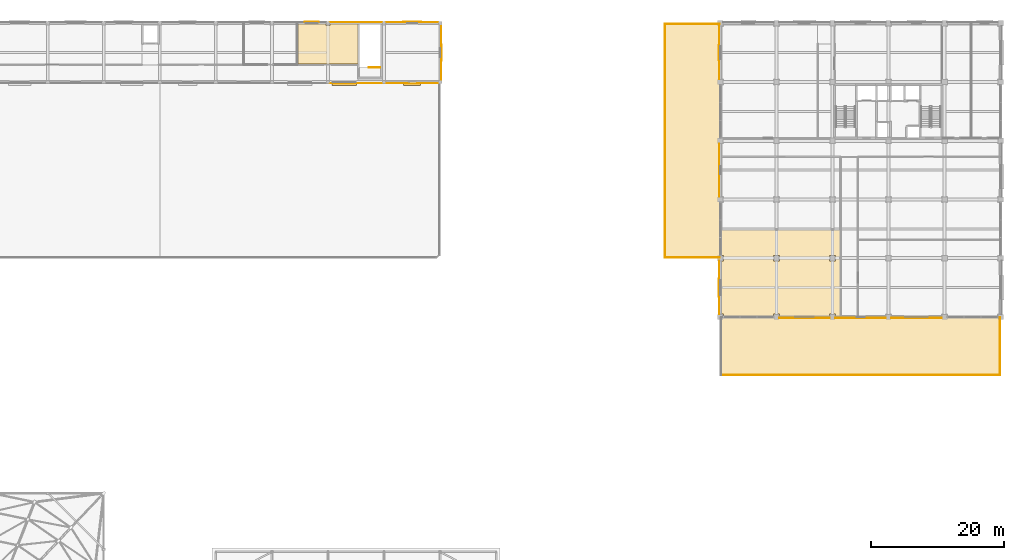
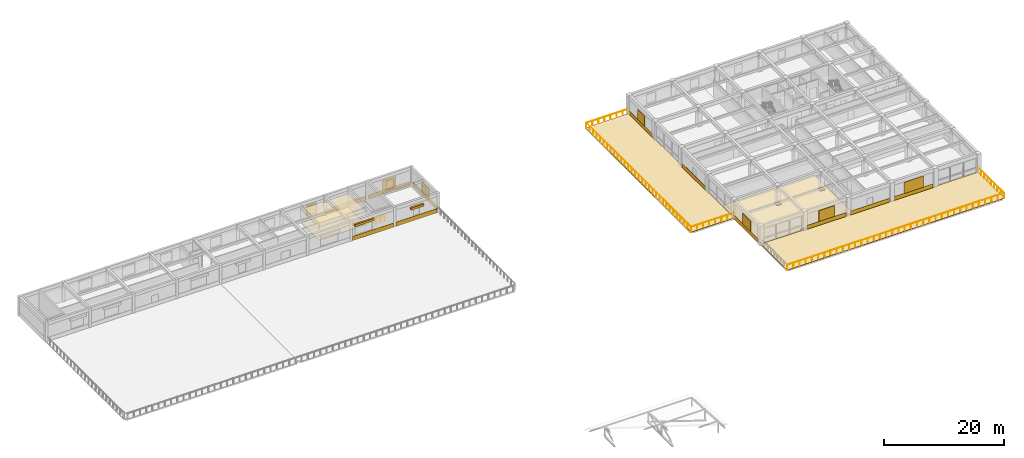
# One storey, part 46 of 49: 16 coverings, 9 shading devices, 6 railings.
"""IFC4 building model written with IfcOpenShell, lengths in metres."""

from ifc_helpers import new_model, si_unit, direction, frame, origin, origin_2d, place, context, subcontext, project, spatial, polyline, rectangle, circle, outline, extrude, material, layer, layer_set, type_object, element, save


model = new_model("IFC4")

# Units and contexts
model_context = context("Model", 3, precision=1e-05, world=origin(), true_north=direction((0.0, 1.0)))
body_context = subcontext(model_context, "Body", "Model", "MODEL_VIEW")
ifc_project = project(units=[si_unit("LENGTHUNIT", "METRE"), si_unit("AREAUNIT", "SQUARE_METRE"), si_unit("VOLUMEUNIT", "CUBIC_METRE"), si_unit("PLANEANGLEUNIT", "RADIAN"), si_unit("MASSUNIT", "GRAM", prefix="KILO")], contexts=[model_context])

# Site, building, storey
site_placement = place(None, origin())
site = spatial("IfcSite", under=ifc_project, at=site_placement, CompositionType="ELEMENT")
building_placement = place(site_placement, origin())
building = spatial("IfcBuilding", under=site, at=building_placement, Name="Kemercrest Conservatory and Botanical Centre", CompositionType="ELEMENT")
storey_placement = place(building_placement, frame((0.0, 0.0, 13.199951171875)))
storey = spatial("IfcBuildingStorey", under=building, at=storey_placement, Name="L03", CompositionType="ELEMENT", Elevation=13.199951171875)

# Coverings
ifc_material_1 = material(Name="Glazed turquoise ceramic tile spandrel", Category="masonry")
ifc_layer_1 = layer(ifc_material_1, 0.028076171875)
ifc_layer_set_1 = layer_set([ifc_layer_1], Name="Glazed turquoise ceramic tile spandrel")
covering_type_1 = type_object("IfcCoveringType", Name="CV-CLD028", PredefinedType="CLADDING", material=ifc_layer_set_1)
covering_1_placement = place(storey_placement, origin())
element("IfcCovering", 1, at=covering_1_placement, inside=storey, type_object=covering_type_1, Name="Exterior stone spandrel cladding (WAL:L03:EXT-210)", PredefinedType="CLADDING", context=body_context, shape_type="SweptSolid", body=[
    extrude(outline(polyline([(142.81005859375, 78.25), (142.81005859375, 78.221923828125), (150.389892578125, 78.221923828125), (150.389892578125, 78.25), (142.81005859375, 78.25)])), origin(), (0.0, 0.0, 1.0), 0.85009765625),
])
covering_2_placement = place(storey_placement, origin())
element("IfcCovering", 2, at=covering_2_placement, inside=storey, type_object=covering_type_1, Name="Exterior stone spandrel cladding (WAL:L03:EXT-211)", PredefinedType="CLADDING", context=body_context, shape_type="SweptSolid", body=[
    extrude(outline(polyline([(151.2099609375, 78.25), (151.2099609375, 78.221923828125), (158.7900390625, 78.221923828125), (158.7900390625, 78.25), (151.2099609375, 78.25)])), origin(), (0.0, 0.0, 1.0), 0.85009765625),
])
covering_3_placement = place(storey_placement, origin())
element("IfcCovering", 3, at=covering_3_placement, inside=storey, type_object=covering_type_1, Name="Exterior stone spandrel cladding (WAL:L03:EXT-212)", PredefinedType="CLADDING", context=body_context, shape_type="SweptSolid", body=[
    extrude(outline(polyline([(159.610107421875, 78.25), (159.610107421875, 78.221923828125), (167.18994140625, 78.221923828125), (167.18994140625, 78.25), (159.610107421875, 78.25)])), origin(), (0.0, 0.0, 1.0), 0.85009765625),
])
covering_4_placement = place(storey_placement, origin())
element("IfcCovering", 4, at=covering_4_placement, inside=storey, type_object=covering_type_1, Name="Exterior stone spandrel cladding (WAL:L03:EXT-221)", PredefinedType="CLADDING", context=body_context, shape_type="SweptSolid", body=[
    extrude(outline(polyline([(133.85009765625, 121.989990234375), (133.822021484375, 121.989990234375), (133.822021484375, 114.010009765625), (133.85009765625, 114.010009765625), (133.85009765625, 121.989990234375)])), origin(), (0.0, 0.0, 1.0), 0.85009765625),
])
covering_5_placement = place(storey_placement, origin())
element("IfcCovering", 5, at=covering_5_placement, inside=storey, type_object=covering_type_1, Name="Exterior stone spandrel cladding (WAL:L03:EXT-222)", PredefinedType="CLADDING", context=body_context, shape_type="SweptSolid", body=[
    extrude(outline(polyline([(133.85009765625, 104.389892578125), (133.822021484375, 104.389892578125), (133.822021484375, 96.409912109375), (133.85009765625, 96.409912109375), (133.85009765625, 104.389892578125)])), origin(), (0.0, 0.0, 1.0), 0.85009765625),
])
covering_6_placement = place(storey_placement, origin())
element("IfcCovering", 6, at=covering_6_placement, inside=storey, type_object=covering_type_1, Name="Exterior stone spandrel cladding (WAL:L03:EXT-223)", PredefinedType="CLADDING", context=body_context, shape_type="SweptSolid", body=[
    extrude(outline(polyline([(133.85009765625, 86.7900390625), (133.822021484375, 86.7900390625), (133.822021484375, 78.81005859375), (133.85009765625, 78.81005859375), (133.85009765625, 86.7900390625)])), origin(), (0.0, 0.0, 1.0), 0.85009765625),
])
ifc_material_2 = material(Name="Honed limestone almasik ashlar rainscreen", Category="masonry")
ifc_layer_2 = layer(ifc_material_2, 0.0400390625)
ifc_layer_set_2 = layer_set([ifc_layer_2], Name="Honed limestone almasik ashlar rainscreen")
covering_type_2 = type_object("IfcCoveringType", Name="CV-CLD040", PredefinedType="CLADDING", material=ifc_layer_set_2)
covering_7_placement = place(storey_placement, origin())
element("IfcCovering", 7, at=covering_7_placement, inside=storey, type_object=covering_type_2, Name="Exterior stone spandrel cladding (WAL:L03:EXT-145)", PredefinedType="CLADDING", context=body_context, shape_type="SweptSolid", body=[
    extrude(outline(polyline([(75.4599609375, 113.449951171875), (75.4599609375, 113.409912109375), (83.340087890625, 113.409912109375), (83.340087890625, 113.449951171875), (75.4599609375, 113.449951171875)])), origin(), (0.0, 0.0, 1.0), 0.85009765625),
])
covering_8_placement = place(storey_placement, origin())
element("IfcCovering", 8, at=covering_8_placement, inside=storey, type_object=covering_type_2, Name="Exterior stone spandrel cladding (WAL:L03:EXT-146)", PredefinedType="CLADDING", context=body_context, shape_type="SweptSolid", body=[
    extrude(outline(polyline([(83.860107421875, 113.449951171875), (83.860107421875, 113.409912109375), (91.739990234375, 113.409912109375), (91.739990234375, 113.449951171875), (83.860107421875, 113.449951171875)])), origin(), (0.0, 0.0, 1.0), 0.85009765625),
])
covering_9_placement = place(storey_placement, origin())
element("IfcCovering", 9, at=covering_9_placement, inside=storey, type_object=covering_type_2, Name="Exterior stone spandrel cladding (WAL:L03:EXT-147)", PredefinedType="CLADDING", context=body_context, shape_type="SweptSolid", body=[
    extrude(outline(polyline([(92.14990234375, 113.860107421875), (92.18994140625, 113.860107421875), (92.18994140625, 122.139892578125), (92.14990234375, 122.139892578125), (92.14990234375, 113.860107421875)])), origin(), (0.0, 0.0, 1.0), 0.85009765625),
])
covering_10_placement = place(storey_placement, origin())
element("IfcCovering", 10, at=covering_10_placement, inside=storey, type_object=covering_type_2, Name="Exterior stone spandrel cladding (WAL:L03:EXT-148)", PredefinedType="CLADDING", context=body_context, shape_type="SweptSolid", body=[
    extrude(outline(polyline([(91.739990234375, 122.550048828125), (91.739990234375, 122.590087890625), (83.860107421875, 122.590087890625), (83.860107421875, 122.550048828125), (91.739990234375, 122.550048828125)])), origin(), (0.0, 0.0, 1.0), 0.85009765625),
])
covering_11_placement = place(storey_placement, origin())
element("IfcCovering", 11, at=covering_11_placement, inside=storey, type_object=covering_type_2, Name="Exterior stone spandrel cladding (WAL:L03:EXT-149)", PredefinedType="CLADDING", context=body_context, shape_type="SweptSolid", body=[
    extrude(outline(polyline([(83.340087890625, 122.550048828125), (83.340087890625, 122.590087890625), (75.4599609375, 122.590087890625), (75.4599609375, 122.550048828125), (83.340087890625, 122.550048828125)])), origin(), (0.0, 0.0, 1.0), 0.85009765625),
])
ifc_material_3 = material(Name="Perforated acoustic gypsum and mineral-fibre suspended ceiling", Category="gypsum")
ifc_layer_3 = layer(ifc_material_3, 0.034912109375)
ifc_layer_set_3 = layer_set([ifc_layer_3], Name="Perforated acoustic gypsum and mineral-fibre suspended ceiling")
covering_type_3 = type_object("IfcCoveringType", Name="CV-CLG035", PredefinedType="CEILING", material=ifc_layer_set_3)
covering_12_placement = place(storey_placement, frame((0.0, 0.0, 2.699951171875)))
element("IfcCovering", 12, at=covering_12_placement, inside=storey, type_object=covering_type_3, Name="Botanical Reading Room suspended acoustic ceiling", PredefinedType="CEILING", context=body_context, shape_type="SweptSolid", body=[
    extrude(outline(polyline([(70.679931640625, 116.280029296875), (79.719970703125, 116.280029296875), (79.719970703125, 122.320068359375), (75.489990234375, 122.320068359375), (75.489990234375, 122.110107421875), (74.909912109375, 122.110107421875), (74.909912109375, 122.320068359375), (70.679931640625, 122.320068359375), (70.679931640625, 116.280029296875)])), origin(), (0.0, 0.0, 1.0), 0.03515625),
])
ifc_material_4 = material(Name="Polished limestone terrazzo and seamless laboratory epoxy flooring", Category="masonry")
ifc_layer_4 = layer(ifc_material_4, 0.02001953125)
ifc_layer_set_4 = layer_set([ifc_layer_4], Name="Polished limestone terrazzo and seamless laboratory epoxy flooring")
covering_type_4 = type_object("IfcCoveringType", Name="CV-FLR020", PredefinedType="FLOORING", material=ifc_layer_set_4)
covering_13_placement = place(storey_placement, origin())
element("IfcCovering", 13, at=covering_13_placement, inside=storey, type_object=covering_type_4, Name="Botanical Reading Room floor finish", PredefinedType="FLOORING", context=body_context, shape_type="SweptSolid", body=[
    extrude(outline(polyline([(70.679931640625, 116.280029296875), (79.719970703125, 116.280029296875), (79.719970703125, 122.320068359375), (75.489990234375, 122.320068359375), (75.489990234375, 122.110107421875), (74.909912109375, 122.110107421875), (74.909912109375, 122.320068359375), (70.679931640625, 122.320068359375), (70.679931640625, 116.280029296875)])), origin(), (0.0, 0.0, 1.0), 0.02001953125),
])
covering_14_placement = place(storey_placement, origin())
element("IfcCovering", 14, at=covering_14_placement, inside=storey, type_object=covering_type_4, Name="Plant Pathology Research Laboratory floor finish", PredefinedType="FLOORING", context=body_context, shape_type="SweptSolid", body=[
    extrude(outline(polyline([(150.360107421875, 78.840087890625), (151.239990234375, 78.840087890625), (151.239990234375, 78.47998046875), (151.919921875, 78.47998046875), (151.919921875, 91.419921875), (134.080078125, 91.419921875), (134.080078125, 87.639892578125), (134.43994140625, 87.639892578125), (134.43994140625, 86.760009765625), (134.080078125, 86.760009765625), (134.080078125, 78.840087890625), (134.43994140625, 78.840087890625), (134.43994140625, 78.47998046875), (141.9599609375, 78.47998046875), (141.9599609375, 78.840087890625), (142.840087890625, 78.840087890625), (142.840087890625, 78.47998046875), (150.360107421875, 78.47998046875), (150.360107421875, 78.840087890625)]), holes=[polyline([(151.239990234375, 87.639892578125), (151.239990234375, 86.760009765625), (150.360107421875, 86.760009765625), (150.360107421875, 87.639892578125), (151.239990234375, 87.639892578125)]), polyline([(142.840087890625, 87.639892578125), (142.840087890625, 86.760009765625), (141.9599609375, 86.760009765625), (141.9599609375, 87.639892578125), (142.840087890625, 87.639892578125)])]), origin(), (0.0, 0.0, 1.0), 0.02001953125),
])
ifc_material_5 = material(Name="SBS modified bitumen insulated roofing membrane", Category="roofing")
ifc_layer_5 = layer(ifc_material_5, 0.06005859375)
ifc_layer_set_5 = layer_set([ifc_layer_5], Name="SBS modified bitumen insulated roofing membrane")
covering_type_5 = type_object("IfcCoveringType", Name="CV-RFG060", PredefinedType="ROOFING", material=ifc_layer_set_5)
covering_15_placement = place(storey_placement, origin())
element("IfcCovering", 15, at=covering_15_placement, inside=storey, type_object=covering_type_5, Name="Insulated roof membrane covering (V4 L03 West Botanical Setback Terrace)", PredefinedType="ROOFING", context=body_context, shape_type="SweptSolid", body=[
    extrude(outline(polyline([(126.050048828125, 87.199951171875), (133.550048828125, 87.199951171875), (134.0, 87.64990234375), (134.0, 122.39990234375), (125.60009765625, 122.39990234375), (125.60009765625, 87.64990234375), (126.050048828125, 87.199951171875)])), origin(), (0.0, 0.0, 1.0), 0.06005859375),
])
covering_16_placement = place(storey_placement, origin())
element("IfcCovering", 16, at=covering_16_placement, inside=storey, type_object=covering_type_5, Name="Insulated roof membrane covering (V4 L03 South Harbour Setback Terrace)", PredefinedType="ROOFING", context=body_context, shape_type="SweptSolid", body=[
    extrude(outline(polyline([(134.449951171875, 69.60009765625), (175.550048828125, 69.60009765625), (176.0, 70.050048828125), (176.0, 78.39990234375), (134.0, 78.39990234375), (134.0, 70.050048828125), (134.449951171875, 69.60009765625)])), origin(), (0.0, 0.0, 1.0), 0.06005859375),
])

# Railings
ifc_material_6 = material(Name="Painted galvanized steel tubular stair guardrail", Category="steel")
railing_type_1 = type_object("IfcRailingType", Name="GR-STR110", PredefinedType="GUARDRAIL", material=ifc_material_6)
railing_1_placement = place(storey_placement, frame((83.0400390625, 115.7900390625, 0.0)))
element("IfcRailing", 17, at=railing_1_placement, inside=storey, type_object=railing_type_1, Name="L03 ST-V3B top well guard 1", PredefinedType="GUARDRAIL", context=body_context, shape_type="SweptSolid", body=[
    extrude(circle(Radius=0.02392578125, at=origin_2d()), frame((0.0, 0.0, 1.076171875), z_axis=(-1.0, 0.0, 0.0), x_axis=(0.0, -1.0, 0.0)), (0.0, 0.0, 1.0), 1.679931640625),
    extrude(circle(Radius=0.02099609375, at=origin_2d()), origin(), (0.0, 0.0, 1.0), 1.052001953125),
    extrude(circle(Radius=0.02099609375, at=origin_2d()), frame((-0.83984375, 0.0, 0.0)), (0.0, 0.0, 1.0), 1.052001953125),
    extrude(circle(Radius=0.02099609375, at=origin_2d()), frame((-1.679931640625, 0.0, 0.0)), (0.0, 0.0, 1.0), 1.052001953125),
])
ifc_material_7 = material(Name="Architectural bronze-anodized steel balustrade", Category="steel")
railing_type_2 = type_object("IfcRailingType", Name="GR-TER110", PredefinedType="GUARDRAIL", material=ifc_material_7)
railing_2_placement = place(storey_placement, frame((133.89990234375, 87.300048828125, 0.0)))
element("IfcRailing", 18, at=railing_2_placement, inside=storey, type_object=railing_type_2, Name="Safety guardrail GR-TER110 (V4-L03W-1)", PredefinedType="GUARDRAIL", context=body_context, shape_type="SweptSolid", body=[
    extrude(circle(Radius=0.02392578125, at=origin_2d()), frame((0.0, 0.0, 1.076171875), z_axis=(-1.0, 0.0, 0.0), x_axis=(0.0, -1.0, 0.0)), (0.0, 0.0, 1.0), 8.199951171875),
    extrude(circle(Radius=0.02099609375, at=origin_2d()), origin(), (0.0, 0.0, 1.0), 1.052001953125),
    extrude(circle(Radius=0.02099609375, at=origin_2d()), frame((-1.17138671875, 0.0, 0.0)), (0.0, 0.0, 1.0), 1.052001953125),
    extrude(circle(Radius=0.02099609375, at=origin_2d()), frame((-2.3427734375, 0.0, 0.0)), (0.0, 0.0, 1.0), 1.052001953125),
    extrude(circle(Radius=0.02099609375, at=origin_2d()), frame((-3.51416015625, 0.0, 0.0)), (0.0, 0.0, 1.0), 1.052001953125),
    extrude(circle(Radius=0.02099609375, at=origin_2d()), frame((-4.685791015625, 0.0, 0.0)), (0.0, 0.0, 1.0), 1.052001953125),
    extrude(circle(Radius=0.02099609375, at=origin_2d()), frame((-5.857177734375, 0.0, 0.0)), (0.0, 0.0, 1.0), 1.052001953125),
    extrude(circle(Radius=0.02099609375, at=origin_2d()), frame((-7.028564453125, 0.0, 0.0)), (0.0, 0.0, 1.0), 1.052001953125),
    extrude(circle(Radius=0.02099609375, at=origin_2d()), frame((-8.199951171875, 0.0, 0.0)), (0.0, 0.0, 1.0), 1.052001953125),
])
railing_3_placement = place(storey_placement, frame((125.699951171875, 87.300048828125, 0.0)))
element("IfcRailing", 19, at=railing_3_placement, inside=storey, type_object=railing_type_2, Name="Safety guardrail GR-TER110 (V4-L03W-2)", PredefinedType="GUARDRAIL", context=body_context, shape_type="SweptSolid", body=[
    extrude(circle(Radius=0.02392578125, at=origin_2d()), frame((0.0, 0.0, 1.076171875), z_axis=(0.0, 1.0, 0.0), x_axis=(-1.0, 0.0, 0.0)), (0.0, 0.0, 1.0), 35.0),
    extrude(circle(Radius=0.02099609375, at=origin_2d()), origin(), (0.0, 0.0, 1.0), 1.052001953125),
    extrude(circle(Radius=0.02099609375, at=origin_2d()), frame((0.0, 1.166748046875, 0.0)), (0.0, 0.0, 1.0), 1.052001953125),
    extrude(circle(Radius=0.02099609375, at=origin_2d()), frame((0.0, 2.333251953125, 0.0)), (0.0, 0.0, 1.0), 1.052001953125),
    extrude(circle(Radius=0.02099609375, at=origin_2d()), frame((0.0, 3.5, 0.0)), (0.0, 0.0, 1.0), 1.052001953125),
    extrude(circle(Radius=0.02099609375, at=origin_2d()), frame((0.0, 4.666748046875, 0.0)), (0.0, 0.0, 1.0), 1.052001953125),
    extrude(circle(Radius=0.02099609375, at=origin_2d()), frame((0.0, 5.833251953125, 0.0)), (0.0, 0.0, 1.0), 1.052001953125),
    extrude(circle(Radius=0.02099609375, at=origin_2d()), frame((0.0, 7.0, 0.0)), (0.0, 0.0, 1.0), 1.052001953125),
    extrude(circle(Radius=0.02099609375, at=origin_2d()), frame((0.0, 8.166748046875, 0.0)), (0.0, 0.0, 1.0), 1.052001953125),
    extrude(circle(Radius=0.02099609375, at=origin_2d()), frame((0.0, 9.333251953125, 0.0)), (0.0, 0.0, 1.0), 1.052001953125),
    extrude(circle(Radius=0.02099609375, at=origin_2d()), frame((0.0, 10.5, 0.0)), (0.0, 0.0, 1.0), 1.052001953125),
    extrude(circle(Radius=0.02099609375, at=origin_2d()), frame((0.0, 11.666748046875, 0.0)), (0.0, 0.0, 1.0), 1.052001953125),
    extrude(circle(Radius=0.02099609375, at=origin_2d()), frame((0.0, 12.833251953125, 0.0)), (0.0, 0.0, 1.0), 1.052001953125),
    extrude(circle(Radius=0.02099609375, at=origin_2d()), frame((0.0, 14.0, 0.0)), (0.0, 0.0, 1.0), 1.052001953125),
    extrude(circle(Radius=0.02099609375, at=origin_2d()), frame((0.0, 15.166748046875, 0.0)), (0.0, 0.0, 1.0), 1.052001953125),
    extrude(circle(Radius=0.02099609375, at=origin_2d()), frame((0.0, 16.333251953125, 0.0)), (0.0, 0.0, 1.0), 1.052001953125),
    extrude(circle(Radius=0.02099609375, at=origin_2d()), frame((0.0, 17.5, 0.0)), (0.0, 0.0, 1.0), 1.052001953125),
    extrude(circle(Radius=0.02099609375, at=origin_2d()), frame((0.0, 18.666748046875, 0.0)), (0.0, 0.0, 1.0), 1.052001953125),
    extrude(circle(Radius=0.02099609375, at=origin_2d()), frame((0.0, 19.833251953125, 0.0)), (0.0, 0.0, 1.0), 1.052001953125),
    extrude(circle(Radius=0.02099609375, at=origin_2d()), frame((0.0, 21.0, 0.0)), (0.0, 0.0, 1.0), 1.052001953125),
    extrude(circle(Radius=0.02099609375, at=origin_2d()), frame((0.0, 22.166748046875, 0.0)), (0.0, 0.0, 1.0), 1.052001953125),
    extrude(circle(Radius=0.02099609375, at=origin_2d()), frame((0.0, 23.333251953125, 0.0)), (0.0, 0.0, 1.0), 1.052001953125),
    extrude(circle(Radius=0.02099609375, at=origin_2d()), frame((0.0, 24.5, 0.0)), (0.0, 0.0, 1.0), 1.052001953125),
    extrude(circle(Radius=0.02099609375, at=origin_2d()), frame((0.0, 25.666748046875, 0.0)), (0.0, 0.0, 1.0), 1.052001953125),
    extrude(circle(Radius=0.02099609375, at=origin_2d()), frame((0.0, 26.833251953125, 0.0)), (0.0, 0.0, 1.0), 1.052001953125),
    extrude(circle(Radius=0.02099609375, at=origin_2d()), frame((0.0, 28.0, 0.0)), (0.0, 0.0, 1.0), 1.052001953125),
    extrude(circle(Radius=0.02099609375, at=origin_2d()), frame((0.0, 29.166748046875, 0.0)), (0.0, 0.0, 1.0), 1.052001953125),
    extrude(circle(Radius=0.02099609375, at=origin_2d()), frame((0.0, 30.333251953125, 0.0)), (0.0, 0.0, 1.0), 1.052001953125),
    extrude(circle(Radius=0.02099609375, at=origin_2d()), frame((0.0, 31.5, 0.0)), (0.0, 0.0, 1.0), 1.052001953125),
    extrude(circle(Radius=0.02099609375, at=origin_2d()), frame((0.0, 32.666748046875, 0.0)), (0.0, 0.0, 1.0), 1.052001953125),
    extrude(circle(Radius=0.02099609375, at=origin_2d()), frame((0.0, 33.833251953125, 0.0)), (0.0, 0.0, 1.0), 1.052001953125),
    extrude(circle(Radius=0.02099609375, at=origin_2d()), frame((0.0, 35.0, 0.0)), (0.0, 0.0, 1.0), 1.052001953125),
])
railing_4_placement = place(storey_placement, frame((125.699951171875, 122.300048828125, 0.0)))
element("IfcRailing", 20, at=railing_4_placement, inside=storey, type_object=railing_type_2, Name="Safety guardrail GR-TER110 (V4-L03W-3)", PredefinedType="GUARDRAIL", context=body_context, shape_type="SweptSolid", body=[
    extrude(circle(Radius=0.02392578125, at=origin_2d()), frame((0.0, 0.0, 1.076171875), z_axis=(1.0, 0.0, 0.0), x_axis=(0.0, 1.0, 0.0)), (0.0, 0.0, 1.0), 8.199951171875),
    extrude(circle(Radius=0.02099609375, at=origin_2d()), origin(), (0.0, 0.0, 1.0), 1.052001953125),
    extrude(circle(Radius=0.02099609375, at=origin_2d()), frame((1.17138671875, 0.0, 0.0)), (0.0, 0.0, 1.0), 1.052001953125),
    extrude(circle(Radius=0.02099609375, at=origin_2d()), frame((2.3427734375, 0.0, 0.0)), (0.0, 0.0, 1.0), 1.052001953125),
    extrude(circle(Radius=0.02099609375, at=origin_2d()), frame((3.51416015625, 0.0, 0.0)), (0.0, 0.0, 1.0), 1.052001953125),
    extrude(circle(Radius=0.02099609375, at=origin_2d()), frame((4.685791015625, 0.0, 0.0)), (0.0, 0.0, 1.0), 1.052001953125),
    extrude(circle(Radius=0.02099609375, at=origin_2d()), frame((5.857177734375, 0.0, 0.0)), (0.0, 0.0, 1.0), 1.052001953125),
    extrude(circle(Radius=0.02099609375, at=origin_2d()), frame((7.028564453125, 0.0, 0.0)), (0.0, 0.0, 1.0), 1.052001953125),
    extrude(circle(Radius=0.02099609375, at=origin_2d()), frame((8.199951171875, 0.0, 0.0)), (0.0, 0.0, 1.0), 1.052001953125),
])
railing_5_placement = place(storey_placement, frame((134.10009765625, 69.699951171875, 0.0)))
element("IfcRailing", 21, at=railing_5_placement, inside=storey, type_object=railing_type_2, Name="Safety guardrail GR-TER110 (V4-L03S-2)", PredefinedType="GUARDRAIL", context=body_context, shape_type="SweptSolid", body=[
    extrude(circle(Radius=0.02392578125, at=origin_2d()), frame((0.0, 0.0, 1.076171875), z_axis=(1.0, 0.0, 0.0), x_axis=(0.0, 1.0, 0.0)), (0.0, 0.0, 1.0), 41.7998046875),
    extrude(circle(Radius=0.02099609375, at=origin_2d()), origin(), (0.0, 0.0, 1.0), 1.052001953125),
    extrude(circle(Radius=0.02099609375, at=origin_2d()), frame((1.1943359375, 0.0, 0.0)), (0.0, 0.0, 1.0), 1.052001953125),
    extrude(circle(Radius=0.02099609375, at=origin_2d()), frame((2.388671875, 0.0, 0.0)), (0.0, 0.0, 1.0), 1.052001953125),
    extrude(circle(Radius=0.02099609375, at=origin_2d()), frame((3.582763671875, 0.0, 0.0)), (0.0, 0.0, 1.0), 1.052001953125),
    extrude(circle(Radius=0.02099609375, at=origin_2d()), frame((4.777099609375, 0.0, 0.0)), (0.0, 0.0, 1.0), 1.052001953125),
    extrude(circle(Radius=0.02099609375, at=origin_2d()), frame((5.971435546875, 0.0, 0.0)), (0.0, 0.0, 1.0), 1.052001953125),
    extrude(circle(Radius=0.02099609375, at=origin_2d()), frame((7.165771484375, 0.0, 0.0)), (0.0, 0.0, 1.0), 1.052001953125),
    extrude(circle(Radius=0.02099609375, at=origin_2d()), frame((8.35986328125, 0.0, 0.0)), (0.0, 0.0, 1.0), 1.052001953125),
    extrude(circle(Radius=0.02099609375, at=origin_2d()), frame((9.55419921875, 0.0, 0.0)), (0.0, 0.0, 1.0), 1.052001953125),
    extrude(circle(Radius=0.02099609375, at=origin_2d()), frame((10.74853515625, 0.0, 0.0)), (0.0, 0.0, 1.0), 1.052001953125),
    extrude(circle(Radius=0.02099609375, at=origin_2d()), frame((11.94287109375, 0.0, 0.0)), (0.0, 0.0, 1.0), 1.052001953125),
    extrude(circle(Radius=0.02099609375, at=origin_2d()), frame((13.136962890625, 0.0, 0.0)), (0.0, 0.0, 1.0), 1.052001953125),
    extrude(circle(Radius=0.02099609375, at=origin_2d()), frame((14.331298828125, 0.0, 0.0)), (0.0, 0.0, 1.0), 1.052001953125),
    extrude(circle(Radius=0.02099609375, at=origin_2d()), frame((15.525634765625, 0.0, 0.0)), (0.0, 0.0, 1.0), 1.052001953125),
    extrude(circle(Radius=0.02099609375, at=origin_2d()), frame((16.719970703125, 0.0, 0.0)), (0.0, 0.0, 1.0), 1.052001953125),
    extrude(circle(Radius=0.02099609375, at=origin_2d()), frame((17.914306640625, 0.0, 0.0)), (0.0, 0.0, 1.0), 1.052001953125),
    extrude(circle(Radius=0.02099609375, at=origin_2d()), frame((19.1083984375, 0.0, 0.0)), (0.0, 0.0, 1.0), 1.052001953125),
    extrude(circle(Radius=0.02099609375, at=origin_2d()), frame((20.302734375, 0.0, 0.0)), (0.0, 0.0, 1.0), 1.052001953125),
    extrude(circle(Radius=0.02099609375, at=origin_2d()), frame((21.4970703125, 0.0, 0.0)), (0.0, 0.0, 1.0), 1.052001953125),
    extrude(circle(Radius=0.02099609375, at=origin_2d()), frame((22.69140625, 0.0, 0.0)), (0.0, 0.0, 1.0), 1.052001953125),
    extrude(circle(Radius=0.02099609375, at=origin_2d()), frame((23.885498046875, 0.0, 0.0)), (0.0, 0.0, 1.0), 1.052001953125),
    extrude(circle(Radius=0.02099609375, at=origin_2d()), frame((25.079833984375, 0.0, 0.0)), (0.0, 0.0, 1.0), 1.052001953125),
    extrude(circle(Radius=0.02099609375, at=origin_2d()), frame((26.274169921875, 0.0, 0.0)), (0.0, 0.0, 1.0), 1.052001953125),
    extrude(circle(Radius=0.02099609375, at=origin_2d()), frame((27.468505859375, 0.0, 0.0)), (0.0, 0.0, 1.0), 1.052001953125),
    extrude(circle(Radius=0.02099609375, at=origin_2d()), frame((28.662841796875, 0.0, 0.0)), (0.0, 0.0, 1.0), 1.052001953125),
    extrude(circle(Radius=0.02099609375, at=origin_2d()), frame((29.85693359375, 0.0, 0.0)), (0.0, 0.0, 1.0), 1.052001953125),
    extrude(circle(Radius=0.02099609375, at=origin_2d()), frame((31.05126953125, 0.0, 0.0)), (0.0, 0.0, 1.0), 1.052001953125),
    extrude(circle(Radius=0.02099609375, at=origin_2d()), frame((32.24560546875, 0.0, 0.0)), (0.0, 0.0, 1.0), 1.052001953125),
    extrude(circle(Radius=0.02099609375, at=origin_2d()), frame((33.43994140625, 0.0, 0.0)), (0.0, 0.0, 1.0), 1.052001953125),
    extrude(circle(Radius=0.02099609375, at=origin_2d()), frame((34.634033203125, 0.0, 0.0)), (0.0, 0.0, 1.0), 1.052001953125),
    extrude(circle(Radius=0.02099609375, at=origin_2d()), frame((35.828369140625, 0.0, 0.0)), (0.0, 0.0, 1.0), 1.052001953125),
    extrude(circle(Radius=0.02099609375, at=origin_2d()), frame((37.022705078125, 0.0, 0.0)), (0.0, 0.0, 1.0), 1.052001953125),
    extrude(circle(Radius=0.02099609375, at=origin_2d()), frame((38.217041015625, 0.0, 0.0)), (0.0, 0.0, 1.0), 1.052001953125),
    extrude(circle(Radius=0.02099609375, at=origin_2d()), frame((39.4111328125, 0.0, 0.0)), (0.0, 0.0, 1.0), 1.052001953125),
    extrude(circle(Radius=0.02099609375, at=origin_2d()), frame((40.60546875, 0.0, 0.0)), (0.0, 0.0, 1.0), 1.052001953125),
    extrude(circle(Radius=0.02099609375, at=origin_2d()), frame((41.7998046875, 0.0, 0.0)), (0.0, 0.0, 1.0), 1.052001953125),
])
railing_6_placement = place(storey_placement, frame((175.89990234375, 69.699951171875, 0.0)))
element("IfcRailing", 22, at=railing_6_placement, inside=storey, type_object=railing_type_2, Name="Safety guardrail GR-TER110 (V4-L03S-3)", PredefinedType="GUARDRAIL", context=body_context, shape_type="SweptSolid", body=[
    extrude(circle(Radius=0.02392578125, at=origin_2d()), frame((0.0, 0.0, 1.076171875), z_axis=(0.0, 1.0, 0.0), x_axis=(-1.0, 0.0, 0.0)), (0.0, 0.0, 1.0), 8.60009765625),
    extrude(circle(Radius=0.02099609375, at=origin_2d()), origin(), (0.0, 0.0, 1.0), 1.052001953125),
    extrude(circle(Radius=0.02099609375, at=origin_2d()), frame((0.0, 1.074951171875, 0.0)), (0.0, 0.0, 1.0), 1.052001953125),
    extrude(circle(Radius=0.02099609375, at=origin_2d()), frame((0.0, 2.14990234375, 0.0)), (0.0, 0.0, 1.0), 1.052001953125),
    extrude(circle(Radius=0.02099609375, at=origin_2d()), frame((0.0, 3.22509765625, 0.0)), (0.0, 0.0, 1.0), 1.052001953125),
    extrude(circle(Radius=0.02099609375, at=origin_2d()), frame((0.0, 4.300048828125, 0.0)), (0.0, 0.0, 1.0), 1.052001953125),
    extrude(circle(Radius=0.02099609375, at=origin_2d()), frame((0.0, 5.375, 0.0)), (0.0, 0.0, 1.0), 1.052001953125),
    extrude(circle(Radius=0.02099609375, at=origin_2d()), frame((0.0, 6.4501953125, 0.0)), (0.0, 0.0, 1.0), 1.052001953125),
    extrude(circle(Radius=0.02099609375, at=origin_2d()), frame((0.0, 7.525146484375, 0.0)), (0.0, 0.0, 1.0), 1.052001953125),
    extrude(circle(Radius=0.02099609375, at=origin_2d()), frame((0.0, 8.60009765625, 0.0)), (0.0, 0.0, 1.0), 1.052001953125),
])

# Shading devices
ifc_material_8 = material(Name="Architectural bronze-anodized extruded aluminium", Category="aluminium")
shading_device_type_1 = type_object("IfcShadingDeviceType", Name="SH-JL01", PredefinedType="JALOUSIE", material=ifc_material_8)
shading_device_1_placement = place(storey_placement, frame((77.6298828125, 113.277099609375, 2.9052734375), z_axis=(0.0, 0.0, 1.0), x_axis=(1.0, 0.0, 0.0)))
element("IfcShadingDevice", 23, at=shading_device_1_placement, inside=storey, type_object=shading_device_type_1, Name="Solar control louvre visor SH-JL01 (WIN:L03:EXT-145)", PredefinedType="JALOUSIE", context=body_context, shape_type="SweptSolid", body=[
    extrude(rectangle(XDim=3.679931640625, YDim=0.35009765625, at=origin_2d()), origin(), (0.0, 0.0, 1.0), 0.449951171875),
])
shading_device_type_2 = type_object("IfcShadingDeviceType", Name="SH-JL02", PredefinedType="JALOUSIE", material=ifc_material_8)
shading_device_2_placement = place(storey_placement, frame((87.800048828125, 113.277099609375, 2.4951171875), z_axis=(0.0, 0.0, 1.0), x_axis=(1.0, 0.0, 0.0)))
element("IfcShadingDevice", 24, at=shading_device_2_placement, inside=storey, type_object=shading_device_type_2, Name="Solar control louvre visor SH-JL02 (WIN:L03:EXT-146)", PredefinedType="JALOUSIE", context=body_context, shape_type="SweptSolid", body=[
    extrude(rectangle(XDim=2.5, YDim=0.35009765625, at=origin_2d()), origin(), (0.0, 0.0, 1.0), 0.449951171875),
])
ifc_material_9 = material(Name="Perforated bronze-anodized aluminium", Category="aluminium")
shading_device_type_3 = type_object("IfcShadingDeviceType", Name="SH-MS01", PredefinedType="USERDEFINED", material=ifc_material_9)
shading_device_3_placement = place(storey_placement, frame((72.77001953125, 122.587890625, 0.820068359375), z_axis=(0.0, 0.0, 1.0), x_axis=(-1.0, 0.0, 0.0)))
element("IfcShadingDevice", 25, at=shading_device_3_placement, inside=storey, type_object=shading_device_type_3, Name="Ottoman mashrabiya perforated screen SH-MS01 (WIN:L03:EXT-150)", ObjectType="MASHRABIYA SCREEN", PredefinedType="USERDEFINED", context=body_context, shape_type="SweptSolid", body=[
    extrude(rectangle(XDim=2.0400390625, YDim=0.080078125, at=origin_2d()), origin(), (0.0, 0.0, 1.0), 2.10009765625),
])
shading_device_4_placement = place(storey_placement, frame((146.60009765625, 78.2119140625, 0.89990234375), z_axis=(0.0, 0.0, 1.0), x_axis=(1.0, 0.0, 0.0)))
element("IfcShadingDevice", 26, at=shading_device_4_placement, inside=storey, type_object=shading_device_type_3, Name="Ottoman mashrabiya perforated screen SH-MS01 (WIN:L03:EXT-210)", ObjectType="MASHRABIYA SCREEN", PredefinedType="USERDEFINED", context=body_context, shape_type="SweptSolid", body=[
    extrude(rectangle(XDim=3.02001953125, YDim=0.080078125, at=origin_2d()), origin(), (0.0, 0.0, 1.0), 2.199951171875),
])
shading_device_type_4 = type_object("IfcShadingDeviceType", Name="SH-MS02", PredefinedType="USERDEFINED", material=ifc_material_9)
shading_device_5_placement = place(storey_placement, frame((133.81201171875, 118.0, 0.820068359375), z_axis=(0.0, 0.0, 1.0), x_axis=(0.0, -1.0, 0.0)))
element("IfcShadingDevice", 27, at=shading_device_5_placement, inside=storey, type_object=shading_device_type_4, Name="Ottoman mashrabiya perforated screen SH-MS02 (WIN:L03:EXT-221)", ObjectType="MASHRABIYA SCREEN", PredefinedType="USERDEFINED", context=body_context, shape_type="SweptSolid", body=[
    extrude(rectangle(XDim=2.22998046875, YDim=0.080078125, at=origin_2d()), origin(), (0.0, 0.0, 1.0), 2.06005859375),
])
shading_device_type_5 = type_object("IfcShadingDeviceType", Name="SH-MS03", PredefinedType="USERDEFINED", material=ifc_material_9)
shading_device_6_placement = place(storey_placement, frame((92.18798828125, 118.0, 0.820068359375), z_axis=(0.0, 0.0, 1.0), x_axis=(0.0, 1.0, 0.0)))
element("IfcShadingDevice", 28, at=shading_device_6_placement, inside=storey, type_object=shading_device_type_5, Name="Ottoman mashrabiya perforated screen SH-MS03 (WIN:L03:EXT-147)", ObjectType="MASHRABIYA SCREEN", PredefinedType="USERDEFINED", context=body_context, shape_type="SweptSolid", body=[
    extrude(rectangle(XDim=2.39990234375, YDim=0.080078125, at=origin_2d()), origin(), (0.0, 0.0, 1.0), 1.93994140625),
])
shading_device_7_placement = place(storey_placement, frame((163.39990234375, 78.2119140625, 0.820068359375), z_axis=(0.0, 0.0, 1.0), x_axis=(1.0, 0.0, 0.0)))
element("IfcShadingDevice", 29, at=shading_device_7_placement, inside=storey, type_object=shading_device_type_5, Name="Ottoman mashrabiya perforated screen SH-MS03 (WIN:L03:EXT-212)", ObjectType="MASHRABIYA SCREEN", PredefinedType="USERDEFINED", context=body_context, shape_type="SweptSolid", body=[
    extrude(rectangle(XDim=3.679931640625, YDim=0.080078125, at=origin_2d()), origin(), (0.0, 0.0, 1.0), 2.31005859375),
])
shading_device_type_6 = type_object("IfcShadingDeviceType", Name="SH-MS04", PredefinedType="USERDEFINED", material=ifc_material_9)
shading_device_8_placement = place(storey_placement, frame((87.800048828125, 122.587890625, 0.820068359375), z_axis=(0.0, 0.0, 1.0), x_axis=(-1.0, 0.0, 0.0)))
element("IfcShadingDevice", 30, at=shading_device_8_placement, inside=storey, type_object=shading_device_type_6, Name="Ottoman mashrabiya perforated screen SH-MS04 (WIN:L03:EXT-148)", ObjectType="MASHRABIYA SCREEN", PredefinedType="USERDEFINED", context=body_context, shape_type="SweptSolid", body=[
    extrude(rectangle(XDim=2.699951171875, YDim=0.080078125, at=origin_2d()), origin(), (0.0, 0.0, 1.0), 2.0),
])
shading_device_9_placement = place(storey_placement, frame((133.81201171875, 82.800048828125, 0.81982421875), z_axis=(0.0, 0.0, 1.0), x_axis=(0.0, -1.0, 0.0)))
element("IfcShadingDevice", 31, at=shading_device_9_placement, inside=storey, type_object=shading_device_type_6, Name="Ottoman mashrabiya perforated screen SH-MS04 (WIN:L03:EXT-223)", ObjectType="MASHRABIYA SCREEN", PredefinedType="USERDEFINED", context=body_context, shape_type="SweptSolid", body=[
    extrude(rectangle(XDim=2.699951171875, YDim=0.080078125, at=origin_2d()), origin(), (0.0, 0.0, 1.0), 2.110107421875),
])

save(model, "model.ifc")
